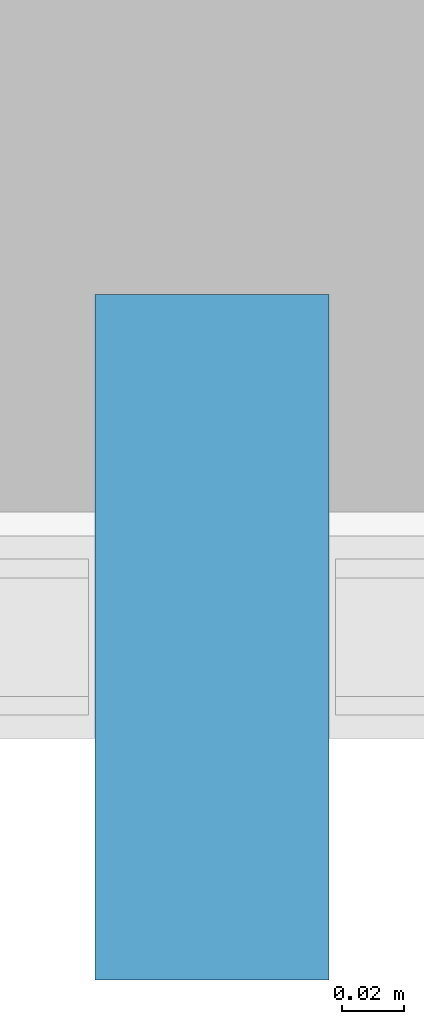
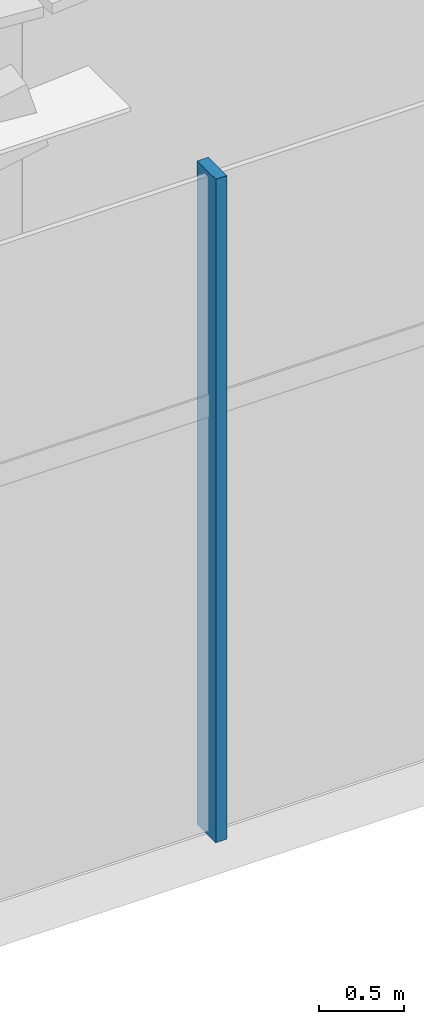
# One storey, part 8 of 29: 1 member, 1 element without a shape of its own.
"""IFC4 building model written with IfcOpenShell, lengths in metres."""

from ifc_helpers import new_model, si_unit, direction, frame, origin, origin_2d, place, context, subcontext, project, spatial, rectangle, extrude, source, transform, mapped, material, layer, layer_set, material_profile, profile_set, type_object, type_shapes, element, aggregate, save


model = new_model("IFC4")

# Units and contexts
model_context = context("Model", 3, precision=1e-05, world=origin(), true_north=direction((0.0, 1.0)))
body_context = subcontext(model_context, "Body", "Model", "MODEL_VIEW")
ifc_project = project(units=[si_unit("LENGTHUNIT", "METRE"), si_unit("AREAUNIT", "SQUARE_METRE"), si_unit("VOLUMEUNIT", "CUBIC_METRE"), si_unit("PLANEANGLEUNIT", "RADIAN"), si_unit("MASSUNIT", "GRAM", prefix="KILO")], contexts=[model_context])

# Site, building, storey
site_placement = place(None, origin())
site = spatial("IfcSite", under=ifc_project, at=site_placement, CompositionType="ELEMENT")
building_placement = place(site_placement, origin())
building = spatial("IfcBuilding", under=site, at=building_placement, Name="Varakhsha Concourse Tower", CompositionType="ELEMENT")
storey_placement = place(building_placement, frame((0.0, 0.0, 22.0)))
storey = spatial("IfcBuildingStorey", under=building, at=storey_placement, Name="L05", CompositionType="ELEMENT", Elevation=22.0)

# Curtain wall, member
ifc_material = material(Name="Anodised Bronze Architectural Aluminium AA 6063-T6", Category="aluminium")
ifc_layer = layer(ifc_material, 0.260009765625, Name="CW-SYS-06")
ifc_layer_set = layer_set([ifc_layer], Name="Anodised Bronze Architectural Aluminium AA 6063-T6")
curtain_wall_type = type_object("IfcCurtainWallType", Name="CW-SYS-06", PredefinedType="NOTDEFINED", material=ifc_layer_set)
curtain_wall_placement = place(storey_placement, origin())
curtain_wall = element("IfcCurtainWall", 1, at=curtain_wall_placement, inside=storey, type_object=curtain_wall_type, Name="L05 Podium Curtain Wall 01", PredefinedType="NOTDEFINED")
ifc_material_profile = material_profile(ifc_material, rectangle(XDim=0.074951171875, YDim=0.219970703125, at=origin_2d()), Name="CWM-220X75")
ifc_profile_set = profile_set([ifc_material_profile], Name="Anodised Bronze Architectural Aluminium AA 6063-T6")
member_type = type_object("IfcMemberType", Name="CWM-220X75", PredefinedType="MULLION", material=ifc_profile_set)
shared_shape = source(origin(), body_context, "Body", "SweptSolid", [
    extrude(rectangle(XDim=0.074951171875, YDim=0.219970703125, at=origin_2d()), origin(), (0.0, 0.0, 1.0), 4.780029296875),
])
type_shapes(member_type, [shared_shape])
member_placement = place(storey_placement, frame((40.0, 1.0, 0.0), z_axis=(0.0, 0.0, 1.0), x_axis=(1.0, 0.0, 0.0)))
member = element("IfcMember", 2, at=member_placement, type_object=member_type, Name="CW-POD-L05-01 Mullion 04", PredefinedType="MULLION", context=body_context, shape_type="MappedRepresentation", body=[
    mapped(shared_shape, transform((0.0, 0.0, 0.0), scale=1.0)),
])
aggregate(curtain_wall, [member])

save(model, "model.ifc")
